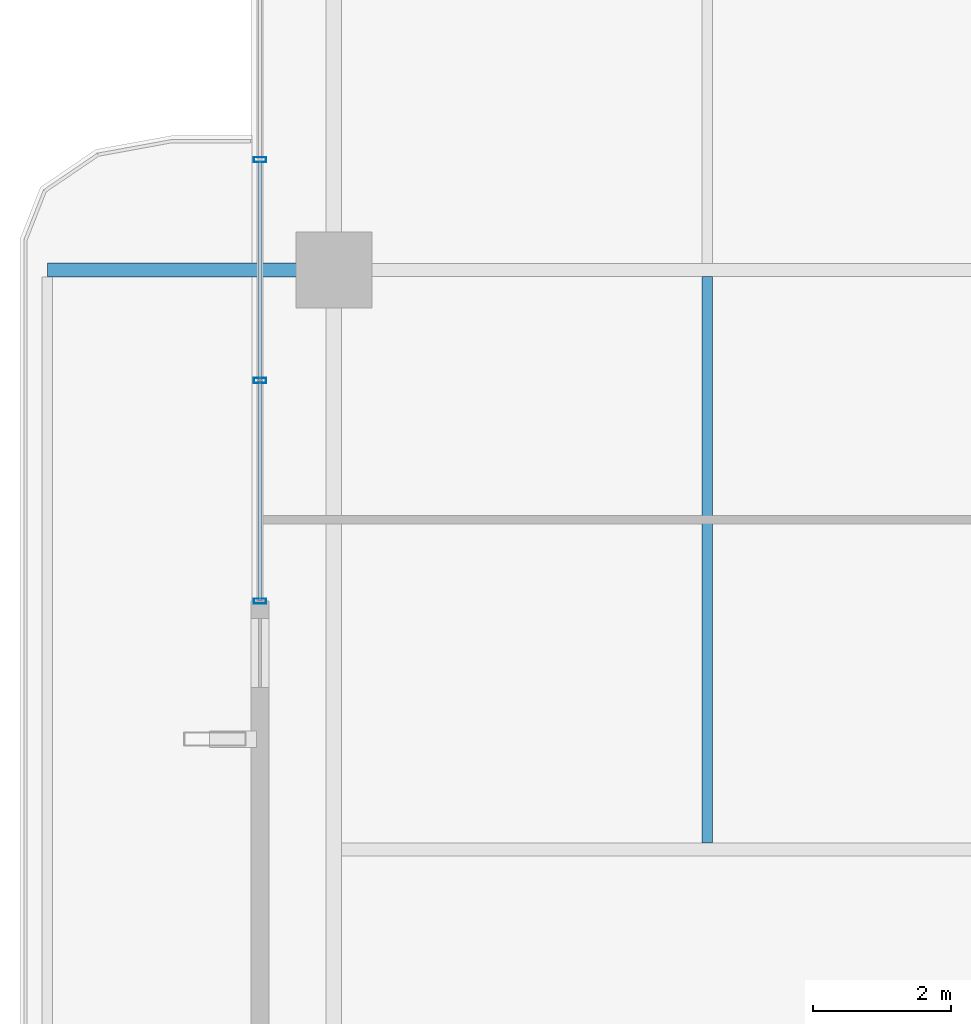
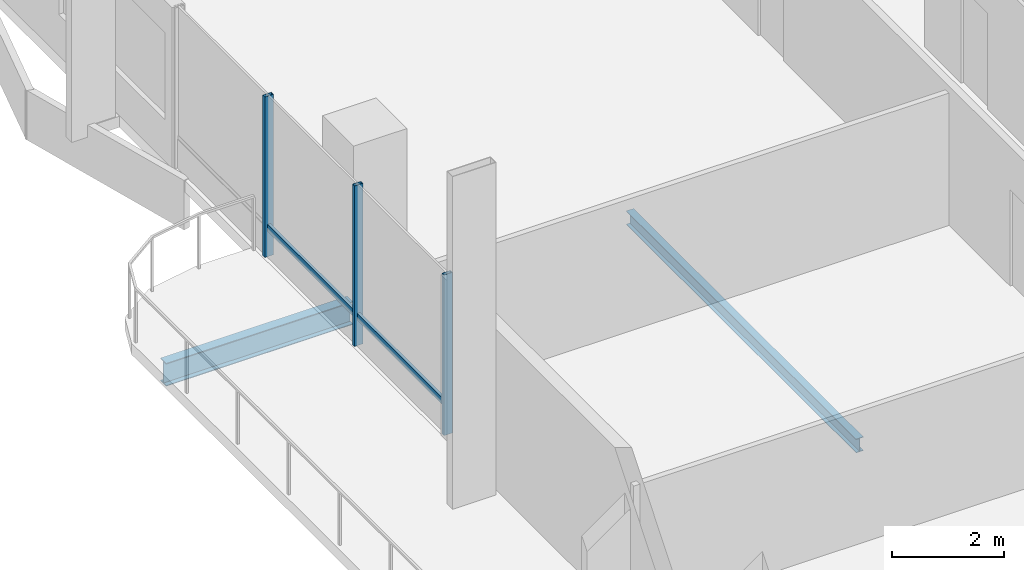
# One storey, part 4 of 24: 5 members, 2 beams, 1 element without a shape of its own.
"""IFC4 building model written with IfcOpenShell, lengths in metres."""

from ifc_helpers import new_model, si_unit, direction, frame, origin, origin_2d, place, context, subcontext, project, spatial, hollow_rectangle, i_section, extrude, material, layer, layer_set, material_profile, profile_set, type_object, element, aggregate, save


model = new_model("IFC4")

# Units and contexts
model_context = context("Model", 3, precision=1e-05, world=origin(), true_north=direction((0.0, 1.0)))
body_context = subcontext(model_context, "Body", "Model", "MODEL_VIEW")
ifc_project = project(units=[si_unit("LENGTHUNIT", "METRE"), si_unit("AREAUNIT", "SQUARE_METRE"), si_unit("VOLUMEUNIT", "CUBIC_METRE"), si_unit("PLANEANGLEUNIT", "RADIAN"), si_unit("MASSUNIT", "GRAM", prefix="KILO")], contexts=[model_context])

# Site, building, storey
site_placement = place(None, origin())
site = spatial("IfcSite", under=ifc_project, at=site_placement, CompositionType="ELEMENT")
building_placement = place(site_placement, origin())
building = spatial("IfcBuilding", under=site, at=building_placement, Name="Belovzor Exchange Tower", CompositionType="ELEMENT")
storey_placement = place(building_placement, frame((0.0, 0.0, 233.699951171875)))
storey = spatial("IfcBuildingStorey", under=building, at=storey_placement, Name="L58", CompositionType="ELEMENT", Elevation=233.699951171875)

# Beams
ifc_material_1 = material(Name="Steel S355", Category="steel")
ifc_material_profile_1 = material_profile(ifc_material_1, i_section(OverallWidth=0.199951171875, OverallDepth=0.5, WebThickness=0.01025390625, FlangeThickness=0.01611328125, at=origin_2d()))
ifc_profile_set_1 = profile_set([ifc_material_profile_1], Name="Steel S355")
beam_type_1 = type_object("IfcBeamType", Name="Planted Balcony Cantilever Beam IPE 500", PredefinedType="BEAM", material=ifc_profile_set_1)
beam_1_placement = place(storey_placement, frame((2.697021484375, 28.800048828125, -0.5), z_axis=(-1.0, 0.0, 0.0), x_axis=(0.0, -1.0, 0.0)))
element("IfcBeam", 1, at=beam_1_placement, inside=storey, type_object=beam_type_1, Name="BC-500 Planted Balcony Cantilever Beam IPE 500", PredefinedType="BEAM", context=body_context, shape_type="SweptSolid", body=[
    extrude(i_section(OverallWidth=0.199951171875, OverallDepth=0.5, WebThickness=0.01025390625, FlangeThickness=0.01611328125, at=origin_2d()), origin(), (0.0, 0.0, 1.0), 3.85009765625),
])
ifc_material_2 = material(Name="Steel S355", Category="steel")
ifc_material_profile_2 = material_profile(ifc_material_2, i_section(OverallWidth=0.14990234375, OverallDepth=0.300048828125, WebThickness=0.007080078125, FlangeThickness=0.0107421875, at=origin_2d()))
ifc_profile_set_2 = profile_set([ifc_material_profile_2], Name="Steel S355")
beam_type_2 = type_object("IfcBeamType", Name="Secondary Trim Floor Joist IPE 300", PredefinedType="BEAM", material=ifc_profile_set_2)
beam_2_placement = place(storey_placement, frame((8.4130859375, 20.4951171875, -0.39990234375), z_axis=(0.0, 1.0, 0.0), x_axis=(-1.0, 0.0, 0.0)))
element("IfcBeam", 2, at=beam_2_placement, inside=storey, type_object=beam_type_2, Name="FJ-300 Secondary Trim Floor Joist IPE 300", PredefinedType="BEAM", context=body_context, shape_type="SweptSolid", body=[
    extrude(i_section(OverallWidth=0.14990234375, OverallDepth=0.300048828125, WebThickness=0.007080078125, FlangeThickness=0.0107421875, at=origin_2d()), origin(), (0.0, 0.0, 1.0), 8.2099609375),
])

# Curtain wall, members
ifc_material_3 = material(Name="Anodised Aluminium Framing", Category="aluminium")
ifc_layer = layer(ifc_material_3, 0.179931640625)
ifc_layer_set = layer_set([ifc_layer], Name="Anodised Aluminium Framing")
curtain_wall_type = type_object("IfcCurtainWallType", Name="Recessed Loggia Low-Iron Triple-Glazed Curtain Wall", PredefinedType="NOTDEFINED", material=ifc_layer_set)
curtain_wall_placement = place(storey_placement, origin())
curtain_wall = element("IfcCurtainWall", 3, at=curtain_wall_placement, inside=storey, type_object=curtain_wall_type, Name="CW3 Recessed Loggia Low-Iron Triple-Glazed Curtain Wall L58", PredefinedType="NOTDEFINED")
ifc_material_4 = material(Name="Steel S355", Category="steel")
ifc_material_profile_3 = material_profile(ifc_material_4, hollow_rectangle(XDim=0.074951171875, YDim=0.179931640625, WallThickness=0.0048828125, at=origin_2d()))
ifc_profile_set_3 = profile_set([ifc_material_profile_3], Name="Steel S355")
member_type_1 = type_object("IfcMemberType", Name="Thermally Broken Curtain Wall Mullion 180x75", PredefinedType="MULLION", material=ifc_profile_set_3)
member_1_placement = place(storey_placement, frame((1.929931640625, 24.0, 0.0), z_axis=(0.0, 0.0, 1.0), x_axis=(0.0, 1.0, 0.0)))
member_1 = element("IfcMember", 4, at=member_1_placement, type_object=member_type_1, Name="CW-M180 Curtain Wall Mullion 1", PredefinedType="MULLION", context=body_context, shape_type="SweptSolid", body=[
    extrude(hollow_rectangle(XDim=0.074951171875, YDim=0.179931640625, WallThickness=0.0048828125, at=origin_2d()), origin(), (0.0, 0.0, 1.0), 3.5),
])
member_2_placement = place(storey_placement, frame((1.929931640625, 27.199951171875, 0.0), z_axis=(0.0, 0.0, 1.0), x_axis=(0.0, 1.0, 0.0)))
member_2 = element("IfcMember", 5, at=member_2_placement, type_object=member_type_1, Name="CW-M180 Curtain Wall Mullion 2", PredefinedType="MULLION", context=body_context, shape_type="SweptSolid", body=[
    extrude(hollow_rectangle(XDim=0.074951171875, YDim=0.179931640625, WallThickness=0.0048828125, at=origin_2d()), origin(), (0.0, 0.0, 1.0), 3.5),
])
member_3_placement = place(storey_placement, frame((1.929931640625, 30.39990234375, 0.0), z_axis=(0.0, 0.0, 1.0), x_axis=(0.0, 1.0, 0.0)))
member_3 = element("IfcMember", 6, at=member_3_placement, type_object=member_type_1, Name="CW-M180 Curtain Wall Mullion 3", PredefinedType="MULLION", context=body_context, shape_type="SweptSolid", body=[
    extrude(hollow_rectangle(XDim=0.074951171875, YDim=0.179931640625, WallThickness=0.0048828125, at=origin_2d()), origin(), (0.0, 0.0, 1.0), 3.5),
])
ifc_material_5 = material(Name="Steel S355", Category="steel")
ifc_material_profile_4 = material_profile(ifc_material_5, hollow_rectangle(XDim=0.06005859375, YDim=0.14990234375, WallThickness=0.00390625, at=origin_2d()))
ifc_profile_set_4 = profile_set([ifc_material_profile_4], Name="Steel S355")
member_type_2 = type_object("IfcMemberType", Name="Thermally Broken Curtain Wall Transom 150x60", PredefinedType="USERDEFINED", material=ifc_profile_set_4)
member_4_placement = place(storey_placement, frame((1.929931640625, 24.008056640625, 0.630126953125), z_axis=(0.0, 1.0, 0.0), x_axis=(-1.0, 0.0, 0.0)))
member_4 = element("IfcMember", 7, at=member_4_placement, type_object=member_type_2, Name="CW-T150 Curtain Wall Transom 1", ObjectType="TRANSOM", PredefinedType="USERDEFINED", context=body_context, shape_type="SweptSolid", body=[
    extrude(hollow_rectangle(XDim=0.06005859375, YDim=0.14990234375, WallThickness=0.00390625, at=origin_2d()), origin(), (0.0, 0.0, 1.0), 3.183837890625),
])
member_5_placement = place(storey_placement, frame((1.929931640625, 27.2080078125, 0.630126953125), z_axis=(0.0, 1.0, 0.0), x_axis=(-1.0, 0.0, 0.0)))
member_5 = element("IfcMember", 8, at=member_5_placement, type_object=member_type_2, Name="CW-T150 Curtain Wall Transom 2", ObjectType="TRANSOM", PredefinedType="USERDEFINED", context=body_context, shape_type="SweptSolid", body=[
    extrude(hollow_rectangle(XDim=0.06005859375, YDim=0.14990234375, WallThickness=0.00390625, at=origin_2d()), origin(), (0.0, 0.0, 1.0), 3.18408203125),
])
aggregate(curtain_wall, [member_1, member_2, member_3, member_4, member_5])

save(model, "model.ifc")
